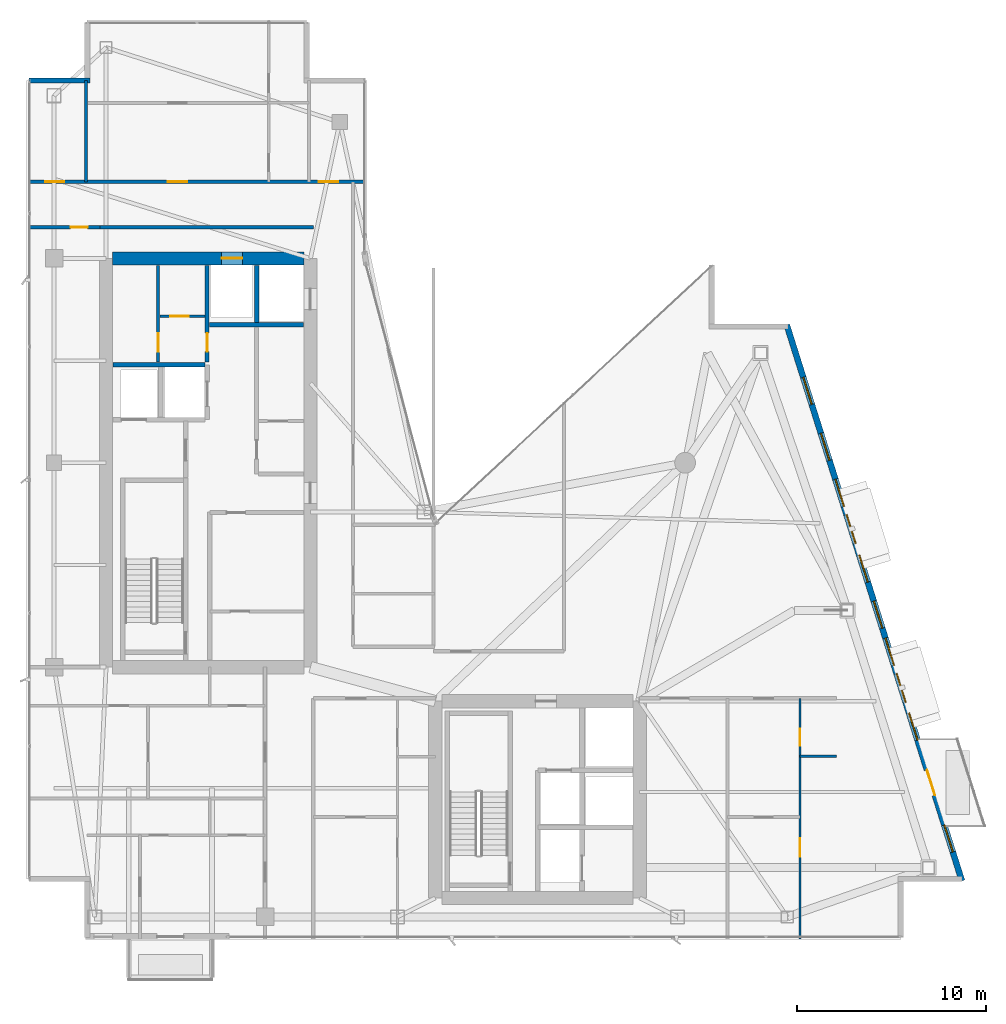
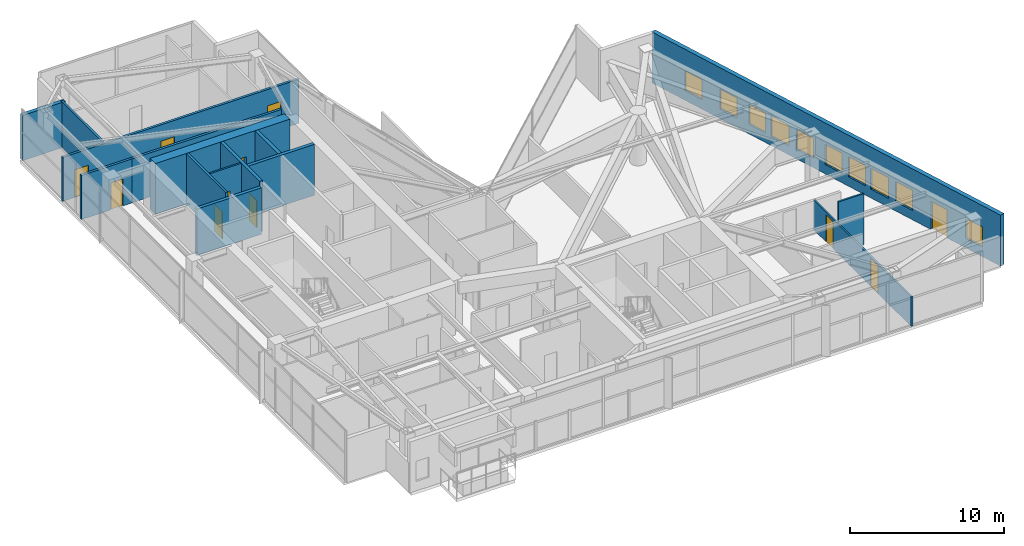
# One storey, part 24 of 27: 15 walls, 11 doors, 10 windows, 21 openings.
"""IFC4 building model written with IfcOpenShell, lengths in metres."""

from ifc_helpers import new_model, si_unit, direction, frame, frame_2d, origin, place, context, subcontext, project, spatial, rectangle, extrude, material, layer, layer_set, type_object, element, fill, save


model = new_model("IFC4")

# Units and contexts
model_context = context("Model", 3, precision=1e-05, world=origin(), true_north=direction((0.0, 1.0)))
body_context = subcontext(model_context, "Body", "Model", "MODEL_VIEW")
ifc_project = project(units=[si_unit("LENGTHUNIT", "METRE"), si_unit("AREAUNIT", "SQUARE_METRE"), si_unit("VOLUMEUNIT", "CUBIC_METRE"), si_unit("PLANEANGLEUNIT", "RADIAN"), si_unit("MASSUNIT", "GRAM", prefix="KILO")], contexts=[model_context])

# Site, building, storey
site_placement = place(None, origin())
site = spatial("IfcSite", under=ifc_project, at=site_placement, CompositionType="ELEMENT")
building_placement = place(site_placement, origin())
building = spatial("IfcBuilding", under=site, at=building_placement, Name="Calvorn Quay Hotel", CompositionType="ELEMENT")
storey_placement = place(building_placement, frame((0.0, 0.0, 239.300048828125)))
storey = spatial("IfcBuildingStorey", under=building, at=storey_placement, Name="L59", CompositionType="ELEMENT", Elevation=239.300048828125)

# Wall, opening, door
ifc_material_1 = material(Name="Concrete C45", Category="concrete")
ifc_layer_1 = layer(ifc_material_1, 0.699951171875)
ifc_layer_set_1 = layer_set([ifc_layer_1], Name="WL-CORE-700")
wall_type_1 = type_object("IfcWallType", Name="WL-CORE-700", PredefinedType="SHEAR", material=ifc_layer_set_1)
wall_1_placement = place(storey_placement, frame((4.550048828125, 38.39990234375, 0.0), z_axis=(0.0, 0.0, 1.0), x_axis=(1.0, 0.0, 0.0)))
wall_1 = element("IfcWall", 1, at=wall_1_placement, inside=storey, type_object=wall_type_1, Name="West Core Shear Wall N (L59)", PredefinedType="SHEAR", context=body_context, shape_type="SweptSolid", body=[
    extrude(rectangle(XDim=10.099853515625, YDim=0.699951171875, at=frame_2d((5.0498046875, 0.0))), origin(), (0.0, 0.0, 1.0), 4.050048828125),
])
opening_1_placement = place(wall_1_placement, frame((5.75, 0.0, 0.0)))
opening_1 = element("IfcOpeningElement", 2, at=opening_1_placement, cuts=wall_1, Name="Opening LD-L59-H2", PredefinedType="OPENING", context=body_context, shape_type="SweptSolid", body=[
    extrude(rectangle(XDim=1.10009765625, YDim=2.199951171875, at=frame_2d((0.550048828125, 1.10009765625))), frame((0.0, 0.35986328125, 0.0), z_axis=(0.0, -1.0, 0.0), x_axis=(1.0, 0.0, 0.0)), (0.0, 0.0, 1.0), 0.719970703125),
])
ifc_material_2 = material(Name="Brushed Stainless Steel Sliding Lift Landing Door", Category="steel")
door_type_1 = type_object("IfcDoorType", Name="DR-LIFT-PASS-1100", OperationType="NOTDEFINED", PredefinedType="DOOR", material=ifc_material_2)
door_1_placement = place(opening_1_placement, origin())
door_1 = element("IfcDoor", 3, at=door_1_placement, inside=storey, type_object=door_type_1, Name="High-Rise Lift PL-H2 Landing Door (L59)", OperationType="DOUBLE_DOOR_SLIDING", OverallHeight=2.199951171875, OverallWidth=1.10009765625, PredefinedType="DOOR", context=body_context, shape_type="SweptSolid", body=[
    extrude(rectangle(XDim=1.10009765625, YDim=2.199951171875, at=frame_2d((0.550048828125, 1.10009765625))), frame((0.0, 0.02490234375, 0.0), z_axis=(0.0, -1.0, 0.0), x_axis=(1.0, 0.0, 0.0)), (0.0, 0.0, 1.0), 0.050048828125),
])
fill(opening_1, door_1)

ifc_material_3 = material(Name="Acoustic Fireboard Steel-Stud Partition", Category="steel")
ifc_layer_2 = layer(ifc_material_3, 0.179931640625)
ifc_layer_set_2 = layer_set([ifc_layer_2], Name="WL-CORR-FIRE-180")
wall_type_2 = type_object("IfcWallType", Name="WL-CORR-FIRE-180", PredefinedType="PARTITIONING", material=ifc_layer_set_2)
wall_2_placement = place(storey_placement, frame((0.080078125, 40.050048828125, 0.0), z_axis=(0.0, 0.0, 1.0), x_axis=(1.0, 0.0, 0.0)))
wall_2 = element("IfcWall", 4, at=wall_2_placement, inside=storey, type_object=wall_type_2, Name="Partition Wall L59-WL-WBAY-N-DOOR", PredefinedType="PARTITIONING", context=body_context, shape_type="SweptSolid", body=[
    extrude(rectangle(XDim=3.7998046875, YDim=0.179931640625, at=frame_2d((1.89990234375, 0.0))), origin(), (0.0, 0.0, 1.0), 3.5),
])
opening_2_placement = place(wall_2_placement, frame((2.25, 0.0, 0.0)))
opening_2 = element("IfcOpeningElement", 5, at=opening_2_placement, cuts=wall_2, Name="Opening D-L59-WBN", PredefinedType="OPENING", context=body_context, shape_type="SweptSolid", body=[
    extrude(rectangle(XDim=0.89990234375, YDim=2.14990234375, at=frame_2d((0.449951171875, 1.074951171875))), frame((0.0, 0.099853515625, 0.0), z_axis=(0.0, -1.0, 0.0), x_axis=(1.0, 0.0, 0.0)), (0.0, 0.0, 1.0), 0.199951171875),
])
ifc_material_4 = material(Name="Moisture-Sealed Timber En-Suite Door", Category="wood")
door_type_2 = type_object("IfcDoorType", Name="DR-ENSUITE-900", OperationType="NOTDEFINED", PredefinedType="DOOR", material=ifc_material_4)
door_2_placement = place(opening_2_placement, origin())
door_2 = element("IfcDoor", 6, at=door_2_placement, inside=storey, type_object=door_type_2, Name="West North Bay Door (L59)", OperationType="SINGLE_SWING_LEFT", OverallHeight=2.14990234375, OverallWidth=0.89990234375, PredefinedType="DOOR", context=body_context, shape_type="SweptSolid", body=[
    extrude(rectangle(XDim=0.89990234375, YDim=2.14990234375, at=frame_2d((0.449951171875, 1.074951171875))), frame((0.0, 0.02490234375, 0.0), z_axis=(0.0, -1.0, 0.0), x_axis=(1.0, 0.0, 0.0)), (0.0, 0.0, 1.0), 0.050048828125),
])
fill(opening_2, door_2)

# Wall, openings, doors
wall_3_placement = place(storey_placement, frame((0.080078125, 42.449951171875, 0.0), z_axis=(0.0, 0.0, 1.0), x_axis=(1.0, 0.0, 0.0)))
wall_3 = element("IfcWall", 7, at=wall_3_placement, inside=storey, type_object=wall_type_2, Name="Partition Wall L59-WL-CORR-NW-N", PredefinedType="PARTITIONING", context=body_context, shape_type="SweptSolid", body=[
    extrude(rectangle(XDim=17.77001953125, YDim=0.179931640625, at=frame_2d((8.885009765625, 0.0))), origin(), (0.0, 0.0, 1.0), 3.5),
])
opening_3_placement = place(wall_3_placement, frame((0.89990234375, 0.0, 0.0)))
opening_3 = element("IfcOpeningElement", 8, at=opening_3_placement, cuts=wall_3, Name="Opening D-L59-NWW", PredefinedType="OPENING", context=body_context, shape_type="SweptSolid", body=[
    extrude(rectangle(XDim=1.02001953125, YDim=2.199951171875, at=frame_2d((0.510009765625, 1.10009765625))), frame((0.0, 0.099853515625, 0.0), z_axis=(0.0, -1.0, 0.0), x_axis=(1.0, 0.0, 0.0)), (0.0, 0.0, 1.0), 0.199951171875),
])
opening_4_placement = place(wall_3_placement, frame((7.3798828125, 0.0, 0.0)))
opening_4 = element("IfcOpeningElement", 9, at=opening_4_placement, cuts=wall_3, Name="Opening D-L59-U04", PredefinedType="OPENING", context=body_context, shape_type="SweptSolid", body=[
    extrude(rectangle(XDim=1.02001953125, YDim=2.199951171875, at=frame_2d((0.510009765625, 1.10009765625))), frame((0.0, 0.099853515625, 0.0), z_axis=(0.0, -1.0, 0.0), x_axis=(1.0, 0.0, 0.0)), (0.0, 0.0, 1.0), 0.199951171875),
])
opening_5_placement = place(wall_3_placement, frame((15.3701171875, 0.0, 0.0)))
opening_5 = element("IfcOpeningElement", 10, at=opening_5_placement, cuts=wall_3, Name="Opening D-L59-NWE", PredefinedType="OPENING", context=body_context, shape_type="SweptSolid", body=[
    extrude(rectangle(XDim=1.02001953125, YDim=2.199951171875, at=frame_2d((0.510009765625, 1.10009765625))), frame((0.0, 0.099853515625, 0.0), z_axis=(0.0, -1.0, 0.0), x_axis=(1.0, 0.0, 0.0)), (0.0, 0.0, 1.0), 0.199951171875),
])
ifc_material_5 = material(Name="Solid-Core Walnut Veneer Hotel Fire Door")
door_type_3 = type_object("IfcDoorType", Name="DR-GUEST-ENTRY-1020", OperationType="NOTDEFINED", PredefinedType="DOOR", material=ifc_material_5)
door_3_placement = place(opening_3_placement, origin())
door_3 = element("IfcDoor", 11, at=door_3_placement, inside=storey, type_object=door_type_3, Name="West Corner Study Door (L59)", OperationType="SINGLE_SWING_LEFT", OverallHeight=2.199951171875, OverallWidth=1.02001953125, PredefinedType="DOOR", context=body_context, shape_type="SweptSolid", body=[
    extrude(rectangle(XDim=1.02001953125, YDim=2.199951171875, at=frame_2d((0.510009765625, 1.10009765625))), frame((0.0, 0.02490234375, 0.0), z_axis=(0.0, -1.0, 0.0), x_axis=(1.0, 0.0, 0.0)), (0.0, 0.0, 1.0), 0.050048828125),
])
fill(opening_3, door_3)
door_4_placement = place(opening_4_placement, origin())
door_4 = element("IfcDoor", 12, at=door_4_placement, inside=storey, type_object=door_type_3, Name="North-West Unit Door U04 (L59)", OperationType="SINGLE_SWING_RIGHT", OverallHeight=2.199951171875, OverallWidth=1.02001953125, PredefinedType="DOOR", context=body_context, shape_type="SweptSolid", body=[
    extrude(rectangle(XDim=1.02001953125, YDim=2.199951171875, at=frame_2d((0.510009765625, 1.10009765625))), frame((0.0, 0.02490234375, 0.0), z_axis=(0.0, -1.0, 0.0), x_axis=(1.0, 0.0, 0.0)), (0.0, 0.0, 1.0), 0.050048828125),
])
fill(opening_4, door_4)
door_5_placement = place(opening_5_placement, origin())
door_5 = element("IfcDoor", 13, at=door_5_placement, inside=storey, type_object=door_type_3, Name="Inner Court Study Door (L59)", OperationType="SINGLE_SWING_RIGHT", OverallHeight=2.199951171875, OverallWidth=1.02001953125, PredefinedType="DOOR", context=body_context, shape_type="SweptSolid", body=[
    extrude(rectangle(XDim=1.02001953125, YDim=2.199951171875, at=frame_2d((0.510009765625, 1.10009765625))), frame((0.0, 0.02490234375, 0.0), z_axis=(0.0, -1.0, 0.0), x_axis=(1.0, 0.0, 0.0)), (0.0, 0.0, 1.0), 0.050048828125),
])
fill(opening_5, door_5)

# Wall
wall_4_placement = place(storey_placement, frame((3.830078125, 40.050048828125, 0.0), z_axis=(0.0, 0.0, 1.0), x_axis=(1.0, 0.0, 0.0)))
element("IfcWall", 14, at=wall_4_placement, inside=storey, type_object=wall_type_2, Name="Partition Wall L59-WL-W-SPUR-S", PredefinedType="PARTITIONING", context=body_context, shape_type="SweptSolid", body=[
    extrude(rectangle(XDim=11.31982421875, YDim=0.179931640625, at=frame_2d((5.659912109375, 0.0))), origin(), (0.0, 0.0, 1.0), 3.5),
])

# Wall, opening, door
ifc_material_6 = material(Name="Moisture-Resistant Tile-Backed Partition")
ifc_layer_3 = layer(ifc_material_6, 0.125)
ifc_layer_set_3 = layer_set([ifc_layer_3], Name="WL-ENSUITE-125")
wall_type_3 = type_object("IfcWallType", Name="WL-ENSUITE-125", PredefinedType="PARTITIONING", material=ifc_layer_set_3)
wall_5_placement = place(storey_placement, frame((7.050048828125, 35.35009765625, 0.0), z_axis=(0.0, 0.0, 1.0), x_axis=(1.0, 0.0, 0.0)))
wall_5 = element("IfcWall", 15, at=wall_5_placement, inside=storey, type_object=wall_type_3, Name="Partition Wall L59-WL-CWW-K-H", PredefinedType="PARTITIONING", context=body_context, shape_type="SweptSolid", body=[
    extrude(rectangle(XDim=2.369873046875, YDim=0.125, at=frame_2d((1.18505859375, 0.0))), origin(), (0.0, 0.0, 1.0), 4.050048828125),
])
opening_6_placement = place(wall_5_placement, frame((0.550048828125, 0.0, 0.0)))
opening_6 = element("IfcOpeningElement", 16, at=opening_6_placement, cuts=wall_5, Name="Opening D-L59-CK3", PredefinedType="OPENING", context=body_context, shape_type="SweptSolid", body=[
    extrude(rectangle(XDim=0.97998046875, YDim=2.14990234375, at=frame_2d((0.489990234375, 1.074951171875))), frame((0.0, 0.072509765625, 0.0), z_axis=(0.0, -1.0, 0.0), x_axis=(1.0, 0.0, 0.0)), (0.0, 0.0, 1.0), 0.14501953125),
])
ifc_material_7 = material(Name="Painted Steel Housekeeping/Riser Fire Door", Category="steel")
door_type_4 = type_object("IfcDoorType", Name="DR-SERVICE-980", OperationType="NOTDEFINED", PredefinedType="DOOR", material=ifc_material_7)
door_6_placement = place(opening_6_placement, origin())
door_6 = element("IfcDoor", 17, at=door_6_placement, inside=storey, type_object=door_type_4, Name="Telecom Closet Door (L59)", OperationType="SINGLE_SWING_RIGHT", OverallHeight=2.14990234375, OverallWidth=0.97998046875, PredefinedType="DOOR", context=body_context, shape_type="SweptSolid", body=[
    extrude(rectangle(XDim=0.97998046875, YDim=2.14990234375, at=frame_2d((0.489990234375, 1.074951171875))), frame((0.0, 0.02490234375, 0.0), z_axis=(0.0, -1.0, 0.0), x_axis=(1.0, 0.0, 0.0)), (0.0, 0.0, 1.0), 0.050048828125),
])
fill(opening_6, door_6)

# Wall
wall_6_placement = place(storey_placement, frame((40.8701171875, 12.10009765625, 0.0), z_axis=(0.0, 0.0, 1.0), x_axis=(1.0, 0.0, 0.0)))
element("IfcWall", 18, at=wall_6_placement, inside=storey, type_object=wall_type_3, Name="Partition Wall L59-WL-U05-BDV", PredefinedType="PARTITIONING", context=body_context, shape_type="SweptSolid", body=[
    extrude(rectangle(XDim=1.929931640625, YDim=0.125, at=frame_2d((0.96484375, 0.0))), origin(), (0.0, 0.0, 1.0), 4.050048828125),
])

# Wall, openings, doors
wall_7_placement = place(storey_placement, frame((40.8701171875, 2.43994140625, 0.0), z_axis=(0.0, 0.0, 1.0), x_axis=(0.0, 1.0, 0.0)))
wall_7 = element("IfcWall", 19, at=wall_7_placement, inside=storey, type_object=wall_type_3, Name="Partition Wall L59-WL-U05-BV", PredefinedType="PARTITIONING", context=body_context, shape_type="SweptSolid", body=[
    extrude(rectangle(XDim=12.7099609375, YDim=0.125, at=frame_2d((6.35498046875, 0.0))), origin(), (0.0, 0.0, 1.0), 2.349853515625),
])
opening_7_placement = place(wall_7_placement, frame((4.35009765625, 0.0, 0.0)))
opening_7 = element("IfcOpeningElement", 20, at=opening_7_placement, cuts=wall_7, Name="Opening D-L59-S05", PredefinedType="OPENING", context=body_context, shape_type="SweptSolid", body=[
    extrude(rectangle(XDim=0.9599609375, YDim=2.199951171875, at=frame_2d((0.47998046875, 1.10009765625))), frame((0.0, 0.072509765625, 0.0), z_axis=(0.0, -1.0, 0.0), x_axis=(1.0, 0.0, 0.0)), (0.0, 0.0, 1.0), 0.14501953125),
])
opening_8_placement = place(wall_7_placement, frame((10.2099609375, 0.0, 0.0)))
opening_8 = element("IfcOpeningElement", 21, at=opening_8_placement, cuts=wall_7, Name="Opening D-L59-E05", PredefinedType="OPENING", context=body_context, shape_type="SweptSolid", body=[
    extrude(rectangle(XDim=0.89990234375, YDim=2.14990234375, at=frame_2d((0.449951171875, 1.074951171875))), frame((0.0, 0.072509765625, 0.0), z_axis=(0.0, -1.0, 0.0), x_axis=(1.0, 0.0, 0.0)), (0.0, 0.0, 1.0), 0.14501953125),
])
door_7_placement = place(opening_8_placement, origin())
door_7 = element("IfcDoor", 22, at=door_7_placement, inside=storey, type_object=door_type_2, Name="En-Suite Door 05", OperationType="SINGLE_SWING_RIGHT", OverallHeight=2.14990234375, OverallWidth=0.89990234375, PredefinedType="DOOR", context=body_context, shape_type="SweptSolid", body=[
    extrude(rectangle(XDim=0.89990234375, YDim=2.14990234375, at=frame_2d((0.449951171875, 1.074951171875))), frame((0.0, 0.02490234375, 0.0), z_axis=(0.0, -1.0, 0.0), x_axis=(1.0, 0.0, 0.0)), (0.0, 0.0, 1.0), 0.050048828125),
])
fill(opening_8, door_7)
ifc_material_8 = material(Name="Solid Timber Internal Suite Door", Category="wood")
door_type_5 = type_object("IfcDoorType", Name="DR-SUITE-INT-960", OperationType="NOTDEFINED", PredefinedType="DOOR", material=ifc_material_8)
door_8_placement = place(opening_7_placement, origin())
door_8 = element("IfcDoor", 23, at=door_8_placement, inside=storey, type_object=door_type_5, Name="Botanical Winter Garden Door 05", OperationType="SINGLE_SWING_LEFT", OverallHeight=2.199951171875, OverallWidth=0.9599609375, PredefinedType="DOOR", context=body_context, shape_type="SweptSolid", body=[
    extrude(rectangle(XDim=0.9599609375, YDim=2.199951171875, at=frame_2d((0.47998046875, 1.10009765625))), frame((0.0, 0.02490234375, 0.0), z_axis=(0.0, -1.0, 0.0), x_axis=(1.0, 0.0, 0.0)), (0.0, 0.0, 1.0), 0.050048828125),
])
fill(opening_7, door_8)

# Wall
ifc_material_9 = material(Name="Concrete C40", Category="concrete")
ifc_layer_4 = layer(ifc_material_9, 0.320068359375)
ifc_layer_set_4 = layer_set([ifc_layer_4], Name="WL-EXT-SPANDREL-320")
wall_type_4 = type_object("IfcWallType", Name="WL-EXT-SPANDREL-320", PredefinedType="SOLIDWALL", material=ifc_layer_set_4)
wall_8_placement = place(storey_placement, frame((3.340087890625, 47.800048828125, 0.0), z_axis=(0.0, 0.0, 1.0), x_axis=(-1.0, 0.0, 0.0)))
element("IfcWall", 24, at=wall_8_placement, inside=storey, type_object=wall_type_4, Name="Notched Corner Spandrel L59-NW2", PredefinedType="SOLIDWALL", context=body_context, shape_type="SweptSolid", body=[
    extrude(rectangle(XDim=3.219970703125, YDim=0.280029296875, at=frame_2d((1.60986328125, 0.0))), origin(), (0.0, 0.0, 1.0), 3.599853515625),
])

# Wall, openings, door, windows
wall_9_placement = place(storey_placement, frame((49.429931640625, 5.5048828125, 0.0), z_axis=(0.0, 0.0, 1.0), x_axis=(-0.300509063924, 0.953778958931, 0.0)))
wall_9 = element("IfcWall", 25, at=wall_9_placement, inside=storey, type_object=wall_type_4, Name="East Stepped Waterfront Exterior Wall (L59)", PredefinedType="SOLIDWALL", context=body_context, shape_type="SweptSolid", body=[
    extrude(rectangle(XDim=30.814453125, YDim=0.320068359375, at=frame_2d((15.4072265625, 0.0))), origin(), (0.0, 0.0, 1.0), 4.050048828125),
])
opening_9_placement = place(wall_9_placement, frame((4.7470703125, 0.0, 0.0)))
opening_9 = element("IfcOpeningElement", 26, at=opening_9_placement, cuts=wall_9, Name="Opening DB-L59-1", PredefinedType="OPENING", context=body_context, shape_type="SweptSolid", body=[
    extrude(rectangle(XDim=1.39990234375, YDim=2.25, at=frame_2d((0.699951171875, 1.125))), frame((0.0, 0.169921875, 0.0), z_axis=(0.0, -1.0, 0.0), x_axis=(1.0, 0.0, 0.0)), (0.0, 0.0, 1.0), 0.340087890625),
])
opening_10_placement = place(wall_9_placement, frame((9.888916015625, 0.0, 0.699951171875)))
opening_10 = element("IfcOpeningElement", 27, at=opening_10_placement, cuts=wall_9, Name="Opening WHD-L59-1", PredefinedType="OPENING", context=body_context, shape_type="SweptSolid", body=[
    extrude(rectangle(XDim=1.60009765625, YDim=1.64990234375, at=frame_2d((0.800048828125, 0.824951171875))), frame((0.0, 0.169921875, 0.0), z_axis=(0.0, -1.0, 0.0), x_axis=(1.0, 0.0, 0.0)), (0.0, 0.0, 1.0), 0.340087890625),
])
opening_11_placement = place(wall_9_placement, frame((18.696044921875, 0.0, 0.699951171875)))
opening_11 = element("IfcOpeningElement", 28, at=opening_11_placement, cuts=wall_9, Name="Opening WHD-L59-2", PredefinedType="OPENING", context=body_context, shape_type="SweptSolid", body=[
    extrude(rectangle(XDim=1.60009765625, YDim=1.64990234375, at=frame_2d((0.800048828125, 0.824951171875))), frame((0.0, 0.169921875, 0.0), z_axis=(0.0, -1.0, 0.0), x_axis=(1.0, 0.0, 0.0)), (0.0, 0.0, 1.0), 0.340087890625),
])
opening_12_placement = place(wall_9_placement, frame((1.60009765625, 0.0, 0.75)))
opening_12 = element("IfcOpeningElement", 29, at=opening_12_placement, cuts=wall_9, Name="Opening WG-L59-E1", PredefinedType="OPENING", context=body_context, shape_type="SweptSolid", body=[
    extrude(rectangle(XDim=1.5, YDim=1.60009765625, at=frame_2d((0.75, 0.800048828125))), frame((0.0, 0.169921875, 0.0), z_axis=(0.0, -1.0, 0.0), x_axis=(1.0, 0.0, 0.0)), (0.0, 0.0, 1.0), 0.340087890625),
])
opening_13_placement = place(wall_9_placement, frame((7.800048828125, 0.0, 0.75)))
opening_13 = element("IfcOpeningElement", 30, at=opening_13_placement, cuts=wall_9, Name="Opening WG-L59-E2", PredefinedType="OPENING", context=body_context, shape_type="SweptSolid", body=[
    extrude(rectangle(XDim=1.5, YDim=1.60009765625, at=frame_2d((0.75, 0.800048828125))), frame((0.0, 0.169921875, 0.0), z_axis=(0.0, -1.0, 0.0), x_axis=(1.0, 0.0, 0.0)), (0.0, 0.0, 1.0), 0.340087890625),
])
opening_14_placement = place(wall_9_placement, frame((11.949951171875, 0.0, 0.75)))
opening_14 = element("IfcOpeningElement", 31, at=opening_14_placement, cuts=wall_9, Name="Opening WG-L59-E3", PredefinedType="OPENING", context=body_context, shape_type="SweptSolid", body=[
    extrude(rectangle(XDim=1.5, YDim=1.60009765625, at=frame_2d((0.75, 0.800048828125))), frame((0.0, 0.169921875, 0.0), z_axis=(0.0, -1.0, 0.0), x_axis=(1.0, 0.0, 0.0)), (0.0, 0.0, 1.0), 0.340087890625),
])
opening_15_placement = place(wall_9_placement, frame((14.0, 0.0, 0.75)))
opening_15 = element("IfcOpeningElement", 32, at=opening_15_placement, cuts=wall_9, Name="Opening WG-L59-E4", PredefinedType="OPENING", context=body_context, shape_type="SweptSolid", body=[
    extrude(rectangle(XDim=1.5, YDim=1.60009765625, at=frame_2d((0.75, 0.800048828125))), frame((0.0, 0.169921875, 0.0), z_axis=(0.0, -1.0, 0.0), x_axis=(1.0, 0.0, 0.0)), (0.0, 0.0, 1.0), 0.340087890625),
])
opening_16_placement = place(wall_9_placement, frame((16.550048828125, 0.0, 0.75)))
opening_16 = element("IfcOpeningElement", 33, at=opening_16_placement, cuts=wall_9, Name="Opening WG-L59-E5", PredefinedType="OPENING", context=body_context, shape_type="SweptSolid", body=[
    extrude(rectangle(XDim=1.5, YDim=1.60009765625, at=frame_2d((0.75, 0.800048828125))), frame((0.0, 0.169921875, 0.0), z_axis=(0.0, -1.0, 0.0), x_axis=(1.0, 0.0, 0.0)), (0.0, 0.0, 1.0), 0.340087890625),
])
opening_17_placement = place(wall_9_placement, frame((20.75, 0.0, 0.75)))
opening_17 = element("IfcOpeningElement", 34, at=opening_17_placement, cuts=wall_9, Name="Opening WG-L59-E6", PredefinedType="OPENING", context=body_context, shape_type="SweptSolid", body=[
    extrude(rectangle(XDim=1.5, YDim=1.60009765625, at=frame_2d((0.75, 0.800048828125))), frame((0.0, 0.169921875, 0.0), z_axis=(0.0, -1.0, 0.0), x_axis=(1.0, 0.0, 0.0)), (0.0, 0.0, 1.0), 0.340087890625),
])
opening_18_placement = place(wall_9_placement, frame((23.300048828125, 0.0, 0.75)))
opening_18 = element("IfcOpeningElement", 35, at=opening_18_placement, cuts=wall_9, Name="Opening WG-L59-E7", PredefinedType="OPENING", context=body_context, shape_type="SweptSolid", body=[
    extrude(rectangle(XDim=1.5, YDim=1.60009765625, at=frame_2d((0.75, 0.800048828125))), frame((0.0, 0.169921875, 0.0), z_axis=(0.0, -1.0, 0.0), x_axis=(1.0, 0.0, 0.0)), (0.0, 0.0, 1.0), 0.340087890625),
])
opening_19_placement = place(wall_9_placement, frame((26.39990234375, 0.0, 0.75)))
opening_19 = element("IfcOpeningElement", 36, at=opening_19_placement, cuts=wall_9, Name="Opening WG-L59-E8", PredefinedType="OPENING", context=body_context, shape_type="SweptSolid", body=[
    extrude(rectangle(XDim=1.5, YDim=1.60009765625, at=frame_2d((0.75, 0.800048828125))), frame((0.0, 0.169921875, 0.0), z_axis=(0.0, -1.0, 0.0), x_axis=(1.0, 0.0, 0.0)), (0.0, 0.0, 1.0), 0.340087890625),
])
ifc_material_10 = material(Name="Typhoon-Rated Low-E Aluminium Terrace Door", Category="aluminium")
door_type_6 = type_object("IfcDoorType", Name="DR-BALCONY-GLZ-1400", OperationType="NOTDEFINED", PredefinedType="DOOR", material=ifc_material_10)
door_9_placement = place(opening_9_placement, origin())
door_9 = element("IfcDoor", 37, at=door_9_placement, inside=storey, type_object=door_type_6, Name="Tree Balcony Terrace Door L59-BALC-E", OperationType="SINGLE_SWING_LEFT", OverallHeight=2.25, OverallWidth=1.39990234375, PredefinedType="DOOR", context=body_context, shape_type="SweptSolid", body=[
    extrude(rectangle(XDim=1.39990234375, YDim=2.25, at=frame_2d((0.699951171875, 1.125))), frame((0.0, 0.02490234375, 0.0), z_axis=(0.0, -1.0, 0.0), x_axis=(1.0, 0.0, 0.0)), (0.0, 0.0, 1.0), 0.050048828125),
])
fill(opening_9, door_9)
ifc_material_11 = material(Name="Champagne-Bronze Aluminium Low-E Window", Category="aluminium")
window_type_1 = type_object("IfcWindowType", Name="WIN-GUEST-SIDE-1600x2100", PartitioningType="SINGLE_PANEL", PredefinedType="WINDOW", material=ifc_material_11)
window_1_placement = place(opening_10_placement, origin())
window_1 = element("IfcWindow", 38, at=window_1_placement, inside=storey, type_object=window_type_1, Name="Bay Hood Window L59-HOOD-2", OverallHeight=1.64990234375, OverallWidth=1.60009765625, PartitioningType="SINGLE_PANEL", PredefinedType="WINDOW", context=body_context, shape_type="SweptSolid", body=[
    extrude(rectangle(XDim=1.60009765625, YDim=1.64990234375, at=frame_2d((0.800048828125, 0.824951171875))), frame((0.0, 0.030029296875, 0.0), z_axis=(0.0, -1.0, 0.0), x_axis=(1.0, 0.0, 0.0)), (0.0, 0.0, 1.0), 0.06005859375),
])
fill(opening_10, window_1)
window_2_placement = place(opening_11_placement, origin())
window_2 = element("IfcWindow", 39, at=window_2_placement, inside=storey, type_object=window_type_1, Name="Bay Hood Window L59-HOOD-3", OverallHeight=1.64990234375, OverallWidth=1.60009765625, PartitioningType="SINGLE_PANEL", PredefinedType="WINDOW", context=body_context, shape_type="SweptSolid", body=[
    extrude(rectangle(XDim=1.60009765625, YDim=1.64990234375, at=frame_2d((0.800048828125, 0.824951171875))), frame((0.0, 0.030029296875, 0.0), z_axis=(0.0, -1.0, 0.0), x_axis=(1.0, 0.0, 0.0)), (0.0, 0.0, 1.0), 0.06005859375),
])
fill(opening_11, window_2)
ifc_material_12 = material(Name="Self-Closing Class B Fire Window")
window_type_2 = type_object("IfcWindowType", Name="WIN-REFUGE-1500x1600", PartitioningType="SINGLE_PANEL", PredefinedType="WINDOW", material=ifc_material_12)
window_3_placement = place(opening_12_placement, origin())
window_3 = element("IfcWindow", 40, at=window_3_placement, inside=storey, type_object=window_type_2, Name="East Facade Window L59-E1", OverallHeight=1.60009765625, OverallWidth=1.5, PartitioningType="SINGLE_PANEL", PredefinedType="WINDOW", context=body_context, shape_type="SweptSolid", body=[
    extrude(rectangle(XDim=1.5, YDim=1.60009765625, at=frame_2d((0.75, 0.800048828125))), frame((0.0, 0.030029296875, 0.0), z_axis=(0.0, -1.0, 0.0), x_axis=(1.0, 0.0, 0.0)), (0.0, 0.0, 1.0), 0.06005859375),
])
fill(opening_12, window_3)
window_4_placement = place(opening_13_placement, origin())
window_4 = element("IfcWindow", 41, at=window_4_placement, inside=storey, type_object=window_type_2, Name="East Facade Window L59-E2", OverallHeight=1.60009765625, OverallWidth=1.5, PartitioningType="SINGLE_PANEL", PredefinedType="WINDOW", context=body_context, shape_type="SweptSolid", body=[
    extrude(rectangle(XDim=1.5, YDim=1.60009765625, at=frame_2d((0.75, 0.800048828125))), frame((0.0, 0.030029296875, 0.0), z_axis=(0.0, -1.0, 0.0), x_axis=(1.0, 0.0, 0.0)), (0.0, 0.0, 1.0), 0.06005859375),
])
fill(opening_13, window_4)
window_5_placement = place(opening_14_placement, origin())
window_5 = element("IfcWindow", 42, at=window_5_placement, inside=storey, type_object=window_type_2, Name="East Facade Window L59-E3", OverallHeight=1.60009765625, OverallWidth=1.5, PartitioningType="SINGLE_PANEL", PredefinedType="WINDOW", context=body_context, shape_type="SweptSolid", body=[
    extrude(rectangle(XDim=1.5, YDim=1.60009765625, at=frame_2d((0.75, 0.800048828125))), frame((0.0, 0.030029296875, 0.0), z_axis=(0.0, -1.0, 0.0), x_axis=(1.0, 0.0, 0.0)), (0.0, 0.0, 1.0), 0.06005859375),
])
fill(opening_14, window_5)
window_6_placement = place(opening_15_placement, origin())
window_6 = element("IfcWindow", 43, at=window_6_placement, inside=storey, type_object=window_type_2, Name="East Facade Window L59-E4", OverallHeight=1.60009765625, OverallWidth=1.5, PartitioningType="SINGLE_PANEL", PredefinedType="WINDOW", context=body_context, shape_type="SweptSolid", body=[
    extrude(rectangle(XDim=1.5, YDim=1.60009765625, at=frame_2d((0.75, 0.800048828125))), frame((0.0, 0.030029296875, 0.0), z_axis=(0.0, -1.0, 0.0), x_axis=(1.0, 0.0, 0.0)), (0.0, 0.0, 1.0), 0.06005859375),
])
fill(opening_15, window_6)
window_7_placement = place(opening_16_placement, origin())
window_7 = element("IfcWindow", 44, at=window_7_placement, inside=storey, type_object=window_type_2, Name="East Facade Window L59-E5", OverallHeight=1.60009765625, OverallWidth=1.5, PartitioningType="SINGLE_PANEL", PredefinedType="WINDOW", context=body_context, shape_type="SweptSolid", body=[
    extrude(rectangle(XDim=1.5, YDim=1.60009765625, at=frame_2d((0.75, 0.800048828125))), frame((0.0, 0.030029296875, 0.0), z_axis=(0.0, -1.0, 0.0), x_axis=(1.0, 0.0, 0.0)), (0.0, 0.0, 1.0), 0.06005859375),
])
fill(opening_16, window_7)
window_8_placement = place(opening_17_placement, origin())
window_8 = element("IfcWindow", 45, at=window_8_placement, inside=storey, type_object=window_type_2, Name="East Facade Window L59-E6", OverallHeight=1.60009765625, OverallWidth=1.5, PartitioningType="SINGLE_PANEL", PredefinedType="WINDOW", context=body_context, shape_type="SweptSolid", body=[
    extrude(rectangle(XDim=1.5, YDim=1.60009765625, at=frame_2d((0.75, 0.800048828125))), frame((0.0, 0.030029296875, 0.0), z_axis=(0.0, -1.0, 0.0), x_axis=(1.0, 0.0, 0.0)), (0.0, 0.0, 1.0), 0.06005859375),
])
fill(opening_17, window_8)
window_9_placement = place(opening_18_placement, origin())
window_9 = element("IfcWindow", 46, at=window_9_placement, inside=storey, type_object=window_type_2, Name="East Facade Window L59-E7", OverallHeight=1.60009765625, OverallWidth=1.5, PartitioningType="SINGLE_PANEL", PredefinedType="WINDOW", context=body_context, shape_type="SweptSolid", body=[
    extrude(rectangle(XDim=1.5, YDim=1.60009765625, at=frame_2d((0.75, 0.800048828125))), frame((0.0, 0.030029296875, 0.0), z_axis=(0.0, -1.0, 0.0), x_axis=(1.0, 0.0, 0.0)), (0.0, 0.0, 1.0), 0.06005859375),
])
fill(opening_18, window_9)
window_10_placement = place(opening_19_placement, origin())
window_10 = element("IfcWindow", 47, at=window_10_placement, inside=storey, type_object=window_type_2, Name="East Facade Window L59-E8", OverallHeight=1.60009765625, OverallWidth=1.5, PartitioningType="SINGLE_PANEL", PredefinedType="WINDOW", context=body_context, shape_type="SweptSolid", body=[
    extrude(rectangle(XDim=1.5, YDim=1.60009765625, at=frame_2d((0.75, 0.800048828125))), frame((0.0, 0.030029296875, 0.0), z_axis=(0.0, -1.0, 0.0), x_axis=(1.0, 0.0, 0.0)), (0.0, 0.0, 1.0), 0.06005859375),
])
fill(opening_19, window_10)

# Wall, opening, door
ifc_material_13 = material(Name="Double-Stud Acoustic Gypsum Partition")
ifc_layer_5 = layer(ifc_material_13, 0.159912109375)
ifc_layer_set_5 = layer_set([ifc_layer_5], Name="WL-INTERSUITE-160")
wall_type_5 = type_object("IfcWallType", Name="WL-INTERSUITE-160", PredefinedType="PARTITIONING", material=ifc_layer_set_5)
wall_10_placement = place(storey_placement, frame((6.949951171875, 32.919921875, 0.0), z_axis=(0.0, 0.0, 1.0), x_axis=(0.0, 1.0, 0.0)))
wall_10 = element("IfcWall", 48, at=wall_10_placement, inside=storey, type_object=wall_type_5, Name="Partition Wall L59-WL-CWW-K-V", PredefinedType="PARTITIONING", context=body_context, shape_type="SweptSolid", body=[
    extrude(rectangle(XDim=5.110107421875, YDim=0.159912109375, at=frame_2d((2.55517578125, 0.0))), origin(), (0.0, 0.0, 1.0), 4.050048828125),
])
opening_20_placement = place(wall_10_placement, frame((0.550048828125, 0.0, 0.0)))
opening_20 = element("IfcOpeningElement", 49, at=opening_20_placement, cuts=wall_10, Name="Opening D-L59-CK1", PredefinedType="OPENING", context=body_context, shape_type="SweptSolid", body=[
    extrude(rectangle(XDim=0.97998046875, YDim=2.14990234375, at=frame_2d((0.489990234375, 1.074951171875))), frame((0.0, 0.08984375, 0.0), z_axis=(0.0, -1.0, 0.0), x_axis=(1.0, 0.0, 0.0)), (0.0, 0.0, 1.0), 0.179931640625),
])
door_10_placement = place(opening_20_placement, origin())
door_10 = element("IfcDoor", 50, at=door_10_placement, inside=storey, type_object=door_type_4, Name="Pipe Riser Door (L59)", OperationType="SINGLE_SWING_LEFT", OverallHeight=2.14990234375, OverallWidth=0.97998046875, PredefinedType="DOOR", context=body_context, shape_type="SweptSolid", body=[
    extrude(rectangle(XDim=0.97998046875, YDim=2.14990234375, at=frame_2d((0.489990234375, 1.074951171875))), frame((0.0, 0.02490234375, 0.0), z_axis=(0.0, -1.0, 0.0), x_axis=(1.0, 0.0, 0.0)), (0.0, 0.0, 1.0), 0.050048828125),
])
fill(opening_20, door_10)

# Wall
wall_11_placement = place(storey_placement, frame((3.14990234375, 42.449951171875, 0.0), z_axis=(0.0, 0.0, 1.0), x_axis=(0.0, 1.0, 0.0)))
element("IfcWall", 51, at=wall_11_placement, inside=storey, type_object=wall_type_5, Name="Partition Wall L59-WL-NW-DIV-W0", PredefinedType="PARTITIONING", context=body_context, shape_type="SweptSolid", body=[
    extrude(rectangle(XDim=5.35009765625, YDim=0.159912109375, at=frame_2d((2.675048828125, 0.0))), origin(), (0.0, 0.0, 1.0), 3.64990234375),
])

# Wall, opening, door
ifc_material_14 = material(Name="Autoclaved Aerated Masonry Block", Category="masonry")
ifc_layer_6 = layer(ifc_material_14, 0.219970703125)
ifc_layer_set_6 = layer_set([ifc_layer_6], Name="WL-LOBBY-FIRE-220")
wall_type_6 = type_object("IfcWallType", Name="WL-LOBBY-FIRE-220", PredefinedType="SOLIDWALL", material=ifc_layer_set_6)
wall_12_placement = place(storey_placement, frame((9.5400390625, 32.919921875, 0.0), z_axis=(0.0, 0.0, 1.0), x_axis=(0.0, 1.0, 0.0)))
wall_12 = element("IfcWall", 52, at=wall_12_placement, inside=storey, type_object=wall_type_6, Name="Partition Wall L59-WL-CWW-K-E", PredefinedType="SOLIDWALL", context=body_context, shape_type="SweptSolid", body=[
    extrude(rectangle(XDim=5.110107421875, YDim=0.219970703125, at=frame_2d((2.55517578125, 0.0))), origin(), (0.0, 0.0, 1.0), 4.050048828125),
])
opening_21_placement = place(wall_12_placement, frame((0.550048828125, 0.0, 0.0)))
opening_21 = element("IfcOpeningElement", 53, at=opening_21_placement, cuts=wall_12, Name="Opening D-L59-CK2", PredefinedType="OPENING", context=body_context, shape_type="SweptSolid", body=[
    extrude(rectangle(XDim=0.97998046875, YDim=2.14990234375, at=frame_2d((0.489990234375, 1.074951171875))), frame((0.0, 0.119873046875, 0.0), z_axis=(0.0, -1.0, 0.0), x_axis=(1.0, 0.0, 0.0)), (0.0, 0.0, 1.0), 0.239990234375),
])
door_11_placement = place(opening_21_placement, origin())
door_11 = element("IfcDoor", 54, at=door_11_placement, inside=storey, type_object=door_type_4, Name="Valet Closet Door (L59)", OperationType="SINGLE_SWING_LEFT", OverallHeight=2.14990234375, OverallWidth=0.97998046875, PredefinedType="DOOR", context=body_context, shape_type="SweptSolid", body=[
    extrude(rectangle(XDim=0.97998046875, YDim=2.14990234375, at=frame_2d((0.489990234375, 1.074951171875))), frame((0.0, 0.02490234375, 0.0), z_axis=(0.0, -1.0, 0.0), x_axis=(1.0, 0.0, 0.0)), (0.0, 0.0, 1.0), 0.050048828125),
])
fill(opening_21, door_11)

# Walls
ifc_material_15 = material(Name="Concrete C40", Category="concrete")
ifc_layer_7 = layer(ifc_material_15, 0.239990234375)
ifc_layer_set_7 = layer_set([ifc_layer_7], Name="WL-SHAFT-240")
wall_type_7 = type_object("IfcWallType", Name="WL-SHAFT-240", PredefinedType="SOLIDWALL", material=ifc_layer_set_7)
wall_13_placement = place(storey_placement, frame((4.570068359375, 32.780029296875, 0.0), z_axis=(0.0, 0.0, 1.0), x_axis=(1.0, 0.0, 0.0)))
element("IfcWall", 55, at=wall_13_placement, inside=storey, type_object=wall_type_7, Name="Partition Wall L59-WL-CWW-SLW-N", PredefinedType="SOLIDWALL", context=body_context, shape_type="SweptSolid", body=[
    extrude(rectangle(XDim=4.849853515625, YDim=0.239990234375, at=frame_2d((2.4248046875, 0.0))), origin(), (0.0, 0.0, 1.0), 3.699951171875),
])
wall_14_placement = place(storey_placement, frame((9.659912109375, 34.89990234375, 0.0), z_axis=(0.0, 0.0, 1.0), x_axis=(1.0, 0.0, 0.0)))
element("IfcWall", 56, at=wall_14_placement, inside=storey, type_object=wall_type_7, Name="Partition Wall L59-WL-CWW-PLH-S", PredefinedType="SOLIDWALL", context=body_context, shape_type="SweptSolid", body=[
    extrude(rectangle(XDim=4.969970703125, YDim=0.239990234375, at=frame_2d((2.48486328125, 0.0))), origin(), (0.0, 0.0, 1.0), 4.050048828125),
])
wall_15_placement = place(storey_placement, frame((12.14990234375, 35.02001953125, 0.0), z_axis=(0.0, 0.0, 1.0), x_axis=(0.0, 1.0, 0.0)))
element("IfcWall", 57, at=wall_15_placement, inside=storey, type_object=wall_type_7, Name="Partition Wall L59-WL-CWW-PLH-DIV", PredefinedType="SOLIDWALL", context=body_context, shape_type="SweptSolid", body=[
    extrude(rectangle(XDim=3.010009765625, YDim=0.239990234375, at=frame_2d((1.5048828125, 0.0))), origin(), (0.0, 0.0, 1.0), 4.050048828125),
])

save(model, "model.ifc")
